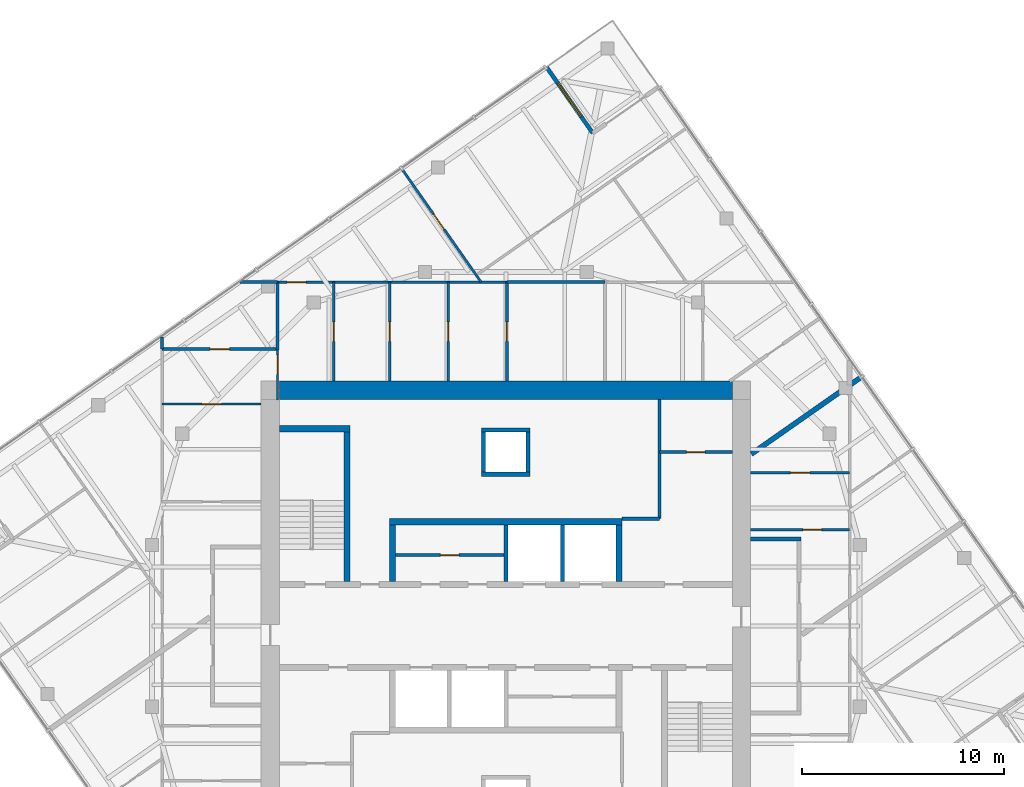
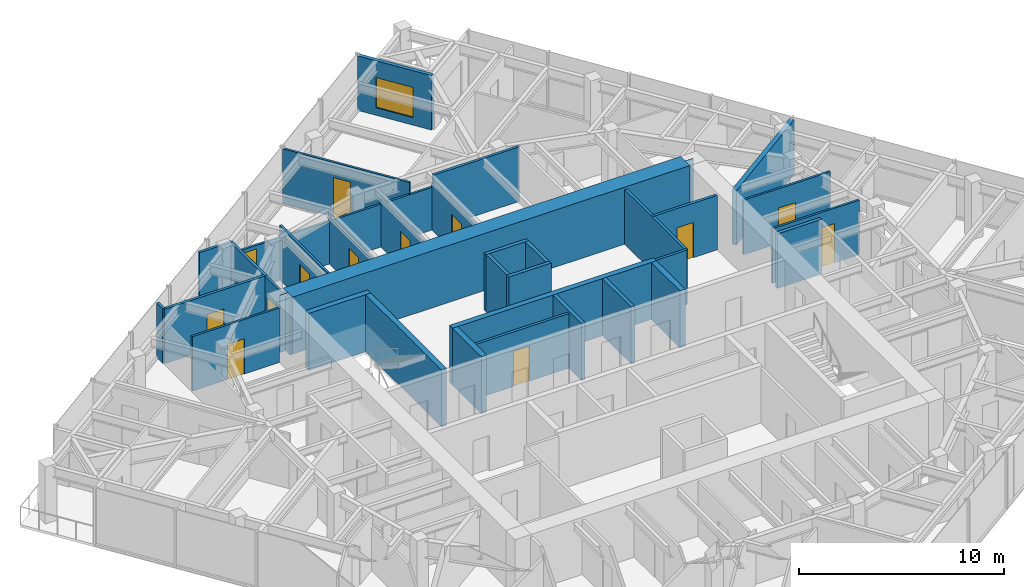
# One storey, part 10 of 12: 34 walls, 13 doors, 1 window, 14 openings.
"""IFC4 building model written with IfcOpenShell, lengths in metres."""

import ifcopenshell
import ifcopenshell.guid

model = None  # the IFC model being written
_history = None  # IfcOwnerHistory: only IFC2X3 demands one
_inside = {}  # id of a spatial element -> (the spatial element, [elements in it])
_under = {}  # id of a project, library or spatial element -> (it, [spatial elements below it])
_declared = {}  # id of a project -> (the project, [libraries it declares])
_typed = {}  # id of a type object -> (the type object, [elements of that type])
_made_of = {}  # id of a material, layer set ... -> (it, [elements and type objects made of it])


def new_model(schema):
    """Start an empty IFC model of exactly this schema.

    Asked for "IFC4X3", IfcOpenShell would pick the latest addendum, in which some entities
    have other attributes; the version numbers below select the first issue.
    IFC2X3 requires an IfcOwnerHistory on every rooted entity: one is made here for all.
    """
    global model, _history
    if schema == "IFC4X3":
        model = ifcopenshell.file(schema_version=(4, 3, 0, 0))
    else:
        model = ifcopenshell.file(schema=schema)
    _inside.clear()
    _under.clear()
    _declared.clear()
    _typed.clear()
    _made_of.clear()
    _history = None
    if model.schema == "IFC2X3":
        org = make("IfcOrganization", Name="unknown")
        user = make(
            "IfcPersonAndOrganization",
            ThePerson=make("IfcPerson", FamilyName="unknown"),
            TheOrganization=org,
        )
        app = make(
            "IfcApplication",
            ApplicationDeveloper=org,
            Version="unknown",
            ApplicationFullName="unknown",
            ApplicationIdentifier="unknown",
        )
        _history = make(
            "IfcOwnerHistory",
            OwningUser=user,
            OwningApplication=app,
            ChangeAction="ADDED",
            CreationDate=0,
        )
    return model


def make(cls, **values):
    """One entity of the class cls with the attributes given. An attribute that is None is left unset."""
    return model.create_entity(
        cls, **{name: value for name, value in values.items() if value is not None}
    )


def rooted(cls, **values):
    """An entity with a GlobalId (a new one), such as an element, a storey or a relation."""
    return make(cls, GlobalId=ifcopenshell.guid.new(), OwnerHistory=_history, **values)


def si_unit(unit_type, name, prefix=None):
    """IfcSIUnit, for example si_unit("LENGTHUNIT", "METRE", prefix="MILLI")."""
    return make("IfcSIUnit", UnitType=unit_type, Prefix=prefix, Name=name)


def assignment(units):
    """IfcUnitAssignment: the units of a project."""
    return None if units is None else make("IfcUnitAssignment", Units=units)


def point(xyz):
    """IfcCartesianPoint."""
    return None if xyz is None else make("IfcCartesianPoint", Coordinates=xyz)


def direction(xyz):
    """IfcDirection."""
    return None if xyz is None else make("IfcDirection", DirectionRatios=xyz)


def frame(location, z_axis=None, x_axis=None):
    """IfcAxis2Placement3D, a coordinate frame: its origin and axes. An axis left out is left unset."""
    return make(
        "IfcAxis2Placement3D",
        Location=point(location),
        Axis=direction(z_axis),
        RefDirection=direction(x_axis),
    )


def frame_2d(location, x_axis=None):
    """IfcAxis2Placement2D, a coordinate frame in the plane: its origin and x axis."""
    return make(
        "IfcAxis2Placement2D", Location=point(location), RefDirection=direction(x_axis)
    )


def origin():
    """The frame at (0, 0, 0) with its axes left unset."""
    return frame((0.0, 0.0, 0.0))


def place(relative_to, where):
    """IfcLocalPlacement: puts the frame where relative to a parent placement (None: the world)."""
    return make(
        "IfcLocalPlacement", PlacementRelTo=relative_to, RelativePlacement=where
    )


def context(
    kind, dimensions, precision=None, world=None, true_north=None, identifier=None
):
    """IfcGeometricRepresentationContext, for example the 3D "Model" context."""
    return make(
        "IfcGeometricRepresentationContext",
        ContextIdentifier=identifier,
        ContextType=kind,
        CoordinateSpaceDimension=dimensions,
        Precision=precision,
        WorldCoordinateSystem=world,
        TrueNorth=true_north,
    )


def subcontext(parent, identifier, kind, view, scale=None):
    """IfcGeometricRepresentationSubContext, for example "Body" below "Model"."""
    return make(
        "IfcGeometricRepresentationSubContext",
        ContextIdentifier=identifier,
        ContextType=kind,
        ParentContext=parent,
        TargetScale=scale,
        TargetView=view,
    )


def project(units=None, contexts=None):
    """IfcProject with its units and contexts."""
    return rooted(
        "IfcProject",
        Name="project",
        RepresentationContexts=contexts,
        UnitsInContext=assignment(units),
    )


def spatial(cls, under=None, at=None, **own):
    """A site, building, storey or space (cls), placed at a placement, below another one or the project."""
    s = rooted(cls, ObjectPlacement=at, **own)
    if under is not None:
        _under.setdefault(under.id(), (under, []))[1].append(s)
    return s


def polyline(points):
    """IfcPolyline through the points."""
    return make("IfcPolyline", Points=[point(p) for p in points])


def profile(cls, at=None, kind="AREA", **sizes):
    """A parametric profile (cls). Its sizes go by their IFC names, for example OverallWidth=200.0."""
    return make(cls, ProfileType=kind, Position=at, **sizes)


def rectangle(**sizes):
    """IfcRectangleProfileDef."""
    return profile("IfcRectangleProfileDef", **sizes)


def outline(outer, holes=None, kind="AREA"):
    """IfcArbitraryClosedProfileDef: a profile drawn as a closed curve; with holes, ...WithVoids."""
    if holes is None:
        return make("IfcArbitraryClosedProfileDef", ProfileType=kind, OuterCurve=outer)
    return make(
        "IfcArbitraryProfileDefWithVoids",
        ProfileType=kind,
        OuterCurve=outer,
        InnerCurves=holes,
    )


def extrude(swept, where, along, depth):
    """IfcExtrudedAreaSolid: the profile swept, set in the frame where, extruded along a direction by depth."""
    return make(
        "IfcExtrudedAreaSolid",
        SweptArea=swept,
        Position=where,
        ExtrudedDirection=direction(along),
        Depth=depth,
    )


def shape(context_of_items, identifier, shape_type, items):
    """IfcShapeRepresentation: the items that make up one representation, for example the "Body"."""
    return make(
        "IfcShapeRepresentation",
        ContextOfItems=context_of_items,
        RepresentationIdentifier=identifier,
        RepresentationType=shape_type,
        Items=items,
    )


def material(Name=None, Category=None):
    """IfcMaterial."""
    return make("IfcMaterial", Name=Name, Category=Category)


def layer(
    of_material, thickness, ventilated=None, Name=None, Category=None, Priority=None
):
    """IfcMaterialLayer: one layer of a wall or slab, of a material (None: an air gap)."""
    return make(
        "IfcMaterialLayer",
        Material=of_material,
        LayerThickness=thickness,
        IsVentilated=ventilated,
        Name=Name,
        Category=Category,
        Priority=Priority,
    )


def layer_set(layers, Name=None):
    """IfcMaterialLayerSet."""
    return make("IfcMaterialLayerSet", MaterialLayers=layers, LayerSetName=Name)


def made_of(thing, what):
    """Note that an element or type object is made of a material, layer set ...; save() writes the relation."""
    if what is not None:
        _made_of.setdefault(what.id(), (what, []))[1].append(thing)
    return thing


def type_object(cls, material=None, **own):
    """A type object (cls), such as IfcWallType, which elements share."""
    return made_of(rooted(cls, **own), material)


def element(
    cls,
    number,
    at=None,
    inside=None,
    cuts=None,
    type_object=None,
    material=None,
    context=None,
    identifier="Body",
    shape_type=None,
    held_by="IfcProductDefinitionShape",
    body=None,
    shapes=None,
    **own,
):
    """One element of the class cls, such as IfcWall. Its Tag is "e" and its number.

    at: its placement. inside: the storey or other place that contains it. cuts: it is an
    opening in that element (IfcRelVoidsElement). A single representation is given by context,
    identifier, shape_type and body (its items); several are given by shapes. held_by: the class
    of the entity that holds the representations. save() writes the other relations.
    """
    e = rooted(cls, Tag="e%d" % number, ObjectPlacement=at, **own)
    if body is not None:
        shapes = [shape(context, identifier, shape_type, body)]
    if shapes is not None:
        e.Representation = make(held_by, Representations=shapes)
    if inside is not None:
        _inside.setdefault(inside.id(), (inside, []))[1].append(e)
    if cuts is not None:
        rooted(
            "IfcRelVoidsElement", RelatingBuildingElement=cuts, RelatedOpeningElement=e
        )
    if type_object is not None:
        _typed.setdefault(type_object.id(), (type_object, []))[1].append(e)
    return made_of(e, material)


def fill(opening, filler):
    """IfcRelFillsElement: the door or window that sits in an opening."""
    return rooted(
        "IfcRelFillsElement",
        RelatingOpeningElement=opening,
        RelatedBuildingElement=filler,
    )


def aggregate(whole, parts):
    """IfcRelAggregates: a whole, such as a stair, and the parts it consists of."""
    return rooted("IfcRelAggregates", RelatingObject=whole, RelatedObjects=parts)


def save(model, path):
    """Write the relations noted so far, then the file.

    IfcRelAggregates (storeys below a building ...), IfcRelContainedInSpatialStructure (elements
    in a storey), IfcRelDefinesByType, IfcRelAssociatesMaterial and IfcRelDeclares: one each for
    every whole, place, type object, material and project.
    """
    for whole, parts in _under.values():
        aggregate(whole, parts)
    for where, things in _inside.values():
        rooted(
            "IfcRelContainedInSpatialStructure",
            RelatedElements=things,
            RelatingStructure=where,
        )
    for kind, things in _typed.values():
        rooted("IfcRelDefinesByType", RelatedObjects=things, RelatingType=kind)
    for what, things in _made_of.values():
        rooted("IfcRelAssociatesMaterial", RelatedObjects=things, RelatingMaterial=what)
    for by, libraries in _declared.values():
        rooted("IfcRelDeclares", RelatingContext=by, RelatedDefinitions=libraries)
    model.write(path)


model = new_model("IFC4")

# Units and contexts
model_context = context("Model", 3, precision=1e-05, world=origin(), true_north=direction((0.0, 1.0)))
body_context = subcontext(model_context, "Body", "Model", "MODEL_VIEW")
ifc_project = project(units=[si_unit("LENGTHUNIT", "METRE"), si_unit("AREAUNIT", "SQUARE_METRE"), si_unit("VOLUMEUNIT", "CUBIC_METRE"), si_unit("PLANEANGLEUNIT", "RADIAN"), si_unit("MASSUNIT", "GRAM", prefix="KILO")], contexts=[model_context])

# Site, building, storey
site_placement = place(None, origin())
site = spatial("IfcSite", under=ifc_project, at=site_placement, CompositionType="ELEMENT")
building_placement = place(site_placement, origin())
building = spatial("IfcBuilding", under=site, at=building_placement, Name="Torsade Residences", CompositionType="ELEMENT")
storey_placement = place(building_placement, frame((0.0, 0.0, 247.199951171875)))
storey = spatial("IfcBuildingStorey", under=building, at=storey_placement, Name="L68", CompositionType="ELEMENT", Elevation=247.199951171875)

# Walls
ifc_material_1 = material(Name="Concrete 80 MPa", Category="concrete")
ifc_layer_1 = layer(ifc_material_1, 0.300048828125)
ifc_layer_set_1 = layer_set([ifc_layer_1], Name="Concrete 80 MPa")
wall_type_1 = type_object("IfcWallType", Name="CORE INTERNAL WALL 300", PredefinedType="SHEAR", material=ifc_layer_set_1)
wall_1_placement = place(storey_placement, frame((34.25, 35.14990234375, 0.0), z_axis=(0.0, 0.0, 1.0), x_axis=(1.0, 0.0, 0.0)))
element("IfcWall", 1, at=wall_1_placement, inside=storey, type_object=wall_type_1, Name="Core wall BN L68", PredefinedType="SHEAR", context=body_context, shape_type="SweptSolid", body=[
    extrude(rectangle(XDim=11.5, YDim=0.300048828125, at=frame_2d((5.75, 0.0))), origin(), (0.0, 0.0, 1.0), 3.400146484375),
])
for number, where, z_axis, x_axis, name in (
    (2, (34.39990234375, 32.199951171875, 0.0), (0.0, 0.0, 1.0), (0.0, 1.0, 0.0), "Core wall DN0 L68"),
    (3, (45.60009765625, 32.199951171875, 0.0), (0.0, 0.0, 1.0), (0.0, 1.0, 0.0), "Core wall DN4 L68"),
):
    element("IfcWall", number, at=place(storey_placement, frame(where, z_axis=z_axis, x_axis=x_axis)), inside=storey, type_object=wall_type_1, Name=name, PredefinedType="SHEAR", context=body_context, shape_type="SweptSolid", body=[
        extrude(rectangle(XDim=2.800048828125, YDim=0.300048828125, at=frame_2d((1.39990234375, 0.0))), origin(), (0.0, 0.0, 1.0), 3.400146484375),
    ])
wall_2_placement = place(storey_placement, frame((32.14990234375, 32.199951171875, 0.0), z_axis=(0.0, 0.0, 1.0), x_axis=(0.0, 1.0, 0.0)))
element("IfcWall", 4, at=wall_2_placement, inside=storey, type_object=wall_type_1, Name="Core wall ST1E L68", PredefinedType="SHEAR", context=body_context, shape_type="SweptSolid", body=[
    extrude(rectangle(XDim=7.699951171875, YDim=0.300048828125, at=frame_2d((3.85009765625, 0.0))), origin(), (0.0, 0.0, 1.0), 3.400146484375),
])
wall_3_placement = place(storey_placement, frame((28.800048828125, 39.75, 0.0), z_axis=(0.0, 0.0, 1.0), x_axis=(1.0, 0.0, 0.0)))
element("IfcWall", 5, at=wall_3_placement, inside=storey, type_object=wall_type_1, Name="Core wall ST1N L68", PredefinedType="SHEAR", context=body_context, shape_type="SweptSolid", body=[
    extrude(rectangle(XDim=3.5, YDim=0.300048828125, at=frame_2d((1.75, 0.0))), origin(), (0.0, 0.0, 1.0), 3.400146484375),
])
ifc_material_2 = material(Name="Concrete 80 MPa", Category="concrete")
ifc_layer_2 = layer(ifc_material_2, 0.89990234375)
ifc_layer_set_2 = layer_set([ifc_layer_2], Name="Concrete 80 MPa")
wall_type_2 = type_object("IfcWallType", Name="CORE WALL 900", PredefinedType="SHEAR", material=ifc_layer_set_2)
wall_4_placement = place(storey_placement, frame((28.800048828125, 41.64990234375, 0.0), z_axis=(0.0, 0.0, 1.0), x_axis=(1.0, 0.0, 0.0)))
element("IfcWall", 6, at=wall_4_placement, inside=storey, type_object=wall_type_2, Name="Core wall N L68", PredefinedType="SHEAR", context=body_context, shape_type="SweptSolid", body=[
    extrude(outline(polyline([(0.0, -0.449951171875), (22.39990234375, -0.449951171875), (22.39990234375, -0.02490234375), (22.849853515625, -0.02490234375), (22.849853515625, 0.02490234375), (22.39990234375, 0.02490234375), (22.39990234375, 0.449951171875), (0.0, 0.449951171875), (0.0, 0.02490234375), (-0.449951171875, 0.02490234375), (-0.449951171875, -0.02490234375), (0.0, -0.02490234375), (0.0, -0.449951171875)])), origin(), (0.0, 0.0, 1.0), 3.400146484375),
])
ifc_material_3 = material(Name="Plasterboard on steel stud", Category="steel")
ifc_layer_3 = layer(ifc_material_3, 0.199951171875)
ifc_layer_set_3 = layer_set([ifc_layer_3], Name="Plasterboard on steel stud")
wall_type_3 = type_object("IfcWallType", Name="CORRIDOR WALL 200", PredefinedType="PARTITIONING", material=ifc_layer_set_3)
wall_5_placement = place(storey_placement, frame((52.10009765625, 34.300048828125, 0.0), z_axis=(0.0, 0.0, 1.0), x_axis=(1.0, 0.0, 0.0)))
element("IfcWall", 7, at=wall_5_placement, inside=storey, type_object=wall_type_3, Name="Corridor wall L68", PredefinedType="PARTITIONING", context=body_context, shape_type="SweptSolid", body=[
    extrude(rectangle(XDim=2.5, YDim=0.199951171875, at=frame_2d((1.25, 0.0))), origin(), (0.0, 0.0, 1.0), 3.25),
])
ifc_material_4 = material(Name="Reinforced blockwork", Category="masonry")
ifc_layer_4 = layer(ifc_material_4, 0.199951171875)
ifc_layer_set_4 = layer_set([ifc_layer_4], Name="Reinforced blockwork")
wall_type_4 = type_object("IfcWallType", Name="LIFT SHAFT DIVIDING WALL 200", PredefinedType="SOLIDWALL", material=ifc_layer_set_4)
for number, where, z_axis, x_axis, name in (
    (8, (40.0, 32.199951171875, 0.0), (0.0, 0.0, 1.0), (0.0, 1.0, 0.0), "Core wall DN2 L68"),
    (9, (42.800048828125, 32.199951171875, 0.0), (0.0, 0.0, 1.0), (0.0, 1.0, 0.0), "Core wall DN3 L68"),
):
    element("IfcWall", number, at=place(storey_placement, frame(where, z_axis=z_axis, x_axis=x_axis)), inside=storey, type_object=wall_type_4, Name=name, PredefinedType="SOLIDWALL", context=body_context, shape_type="SweptSolid", body=[
        extrude(rectangle(XDim=2.800048828125, YDim=0.199951171875, at=frame_2d((1.39990234375, 0.0))), origin(), (0.0, 0.0, 1.0), 3.400146484375),
    ])

# Wall, opening, door
ifc_material_5 = material(Name="Plasterboard on steel stud", Category="steel")
ifc_layer_5 = layer(ifc_material_5, 0.1201171875)
ifc_layer_set_5 = layer_set([ifc_layer_5], Name="Plasterboard on steel stud")
wall_type_5 = type_object("IfcWallType", Name="PARTITION 120", PredefinedType="PARTITIONING", material=ifc_layer_set_5)
wall_6_placement = place(storey_placement, frame((52.10009765625, 34.76611328125, 0.0), z_axis=(0.0, 0.0, 1.0), x_axis=(1.0, 0.0, 0.0)))
wall_6 = element("IfcWall", 10, at=wall_6_placement, inside=storey, type_object=wall_type_5, Name="Partition L68", PredefinedType="PARTITIONING", context=body_context, shape_type="SweptSolid", body=[
    extrude(rectangle(XDim=4.89990234375, YDim=0.1201171875, at=frame_2d((2.449951171875, 0.0))), origin(), (0.0, 0.0, 1.0), 3.25),
])
opening_1_placement = place(wall_6_placement, frame((2.590087890625, 0.0, 0.0)))
opening_1 = element("IfcOpeningElement", 11, at=opening_1_placement, cuts=wall_6, Name="Opening D02", PredefinedType="OPENING", context=body_context, shape_type="SweptSolid", body=[
    extrude(rectangle(XDim=0.919921875, YDim=2.340087890625, at=frame_2d((0.4599609375, 1.169921875))), frame((0.0, 0.070068359375, 0.0), z_axis=(0.0, -1.0, 0.0), x_axis=(1.0, 0.0, 0.0)), (0.0, 0.0, 1.0), 0.14013671875),
])
ifc_material_6 = material(Name="Hollow-core timber door", Category="wood")
door_type_1 = type_object("IfcDoorType", Name="INTERNAL DOOR 920x2340", OperationType="NOTDEFINED", PredefinedType="DOOR", material=ifc_material_6)
door_1_placement = place(opening_1_placement, origin())
door_1 = element("IfcDoor", 12, at=door_1_placement, inside=storey, type_object=door_type_1, Name="Door Kitchen and dining to Dressing room", OperationType="SINGLE_SWING_RIGHT", OverallHeight=2.340087890625, OverallWidth=0.919921875, PredefinedType="DOOR", context=body_context, shape_type="SweptSolid", body=[
    extrude(rectangle(XDim=0.919921875, YDim=2.340087890625, at=frame_2d((0.4599609375, 1.169921875))), frame((0.0, 0.02490234375, 0.0), z_axis=(0.0, -1.0, 0.0), x_axis=(1.0, 0.0, 0.0)), (0.0, 0.0, 1.0), 0.050048828125),
])
fill(opening_1, door_1)

wall_7_placement = place(storey_placement, frame((57.0, 37.567626953125, 0.0), z_axis=(0.0, 0.0, 1.0), x_axis=(-1.0, 0.0, 0.0)))
wall_7 = element("IfcWall", 13, at=wall_7_placement, inside=storey, type_object=wall_type_5, Name="Partition L68", PredefinedType="PARTITIONING", context=body_context, shape_type="SweptSolid", body=[
    extrude(rectangle(XDim=4.89990234375, YDim=0.1201171875, at=frame_2d((2.449951171875, 0.0))), origin(), (0.0, 0.0, 1.0), 3.25),
])
opening_2_placement = place(wall_7_placement, frame((1.969970703125, 0.0, 0.0)))
opening_2 = element("IfcOpeningElement", 14, at=opening_2_placement, cuts=wall_7, Name="Opening D05", PredefinedType="OPENING", context=body_context, shape_type="SweptSolid", body=[
    extrude(rectangle(XDim=0.9599609375, YDim=2.10009765625, at=frame_2d((0.47998046875, 1.050048828125))), frame((0.0, 0.070068359375, 0.0), z_axis=(0.0, -1.0, 0.0), x_axis=(1.0, 0.0, 0.0)), (0.0, 0.0, 1.0), 0.14013671875),
])
ifc_material_7 = material(Name="Hollow-core timber door in a steel cavity frame", Category="steel")
door_type_2 = type_object("IfcDoorType", Name="BATHROOM CAVITY SLIDING DOOR 960", OperationType="SLIDING_TO_LEFT", PredefinedType="DOOR", material=ifc_material_7)
door_2_placement = place(opening_2_placement, origin())
door_2 = element("IfcDoor", 15, at=door_2_placement, inside=storey, type_object=door_type_2, Name="Door Dressing room to Bathroom", OperationType="SLIDING_TO_LEFT", OverallHeight=2.10009765625, OverallWidth=0.9599609375, PredefinedType="DOOR", context=body_context, shape_type="SweptSolid", body=[
    extrude(rectangle(XDim=0.9599609375, YDim=2.10009765625, at=frame_2d((0.47998046875, 1.050048828125))), frame((0.0, 0.02490234375, 0.0), z_axis=(0.0, -1.0, 0.0), x_axis=(1.0, 0.0, 0.0)), (0.0, 0.0, 1.0), 0.050048828125),
])
fill(opening_2, door_2)

wall_8_placement = place(storey_placement, frame((23.0, 40.97412109375, 0.0), z_axis=(0.0, 0.0, 1.0), x_axis=(1.0, 0.0, 0.0)))
wall_8 = element("IfcWall", 16, at=wall_8_placement, inside=storey, type_object=wall_type_5, Name="Partition L68", PredefinedType="PARTITIONING", context=body_context, shape_type="SweptSolid", body=[
    extrude(rectangle(XDim=4.89990234375, YDim=0.1201171875, at=frame_2d((2.449951171875, 0.0))), origin(), (0.0, 0.0, 1.0), 3.25),
])
opening_3_placement = place(wall_8_placement, frame((1.969970703125, 0.0, 0.0)))
opening_3 = element("IfcOpeningElement", 17, at=opening_3_placement, cuts=wall_8, Name="Opening D05", PredefinedType="OPENING", context=body_context, shape_type="SweptSolid", body=[
    extrude(rectangle(XDim=0.9599609375, YDim=2.10009765625, at=frame_2d((0.47998046875, 1.050048828125))), frame((0.0, 0.070068359375, 0.0), z_axis=(0.0, -1.0, 0.0), x_axis=(1.0, 0.0, 0.0)), (0.0, 0.0, 1.0), 0.14013671875),
])
door_3_placement = place(opening_3_placement, origin())
door_3 = element("IfcDoor", 18, at=door_3_placement, inside=storey, type_object=door_type_2, Name="Door Scullery to WC", OperationType="SLIDING_TO_LEFT", OverallHeight=2.10009765625, OverallWidth=0.9599609375, PredefinedType="DOOR", context=body_context, shape_type="SweptSolid", body=[
    extrude(rectangle(XDim=0.9599609375, YDim=2.10009765625, at=frame_2d((0.47998046875, 1.050048828125))), frame((0.0, 0.02490234375, 0.0), z_axis=(0.0, -1.0, 0.0), x_axis=(1.0, 0.0, 0.0)), (0.0, 0.0, 1.0), 0.050048828125),
])
fill(opening_3, door_3)

wall_9_placement = place(storey_placement, frame((31.482177734375, 42.10009765625, 0.0), z_axis=(0.0, 0.0, 1.0), x_axis=(0.0, 1.0, 0.0)))
wall_9 = element("IfcWall", 19, at=wall_9_placement, inside=storey, type_object=wall_type_5, Name="Partition L68", PredefinedType="PARTITIONING", context=body_context, shape_type="SweptSolid", body=[
    extrude(rectangle(XDim=4.89990234375, YDim=0.1201171875, at=frame_2d((2.449951171875, 0.0))), origin(), (0.0, 0.0, 1.0), 3.25),
])
opening_4_placement = place(wall_9_placement, frame((1.969970703125, 0.0, 0.0)))
opening_4 = element("IfcOpeningElement", 20, at=opening_4_placement, cuts=wall_9, Name="Opening D05", PredefinedType="OPENING", context=body_context, shape_type="SweptSolid", body=[
    extrude(rectangle(XDim=0.9599609375, YDim=2.10009765625, at=frame_2d((0.47998046875, 1.050048828125))), frame((0.0, 0.070068359375, 0.0), z_axis=(0.0, -1.0, 0.0), x_axis=(1.0, 0.0, 0.0)), (0.0, 0.0, 1.0), 0.14013671875),
])
door_4_placement = place(opening_4_placement, origin())
door_4 = element("IfcDoor", 21, at=door_4_placement, inside=storey, type_object=door_type_2, Name="Door Dressing room to Bathroom", OperationType="SLIDING_TO_LEFT", OverallHeight=2.10009765625, OverallWidth=0.9599609375, PredefinedType="DOOR", context=body_context, shape_type="SweptSolid", body=[
    extrude(rectangle(XDim=0.9599609375, YDim=2.10009765625, at=frame_2d((0.47998046875, 1.050048828125))), frame((0.0, 0.02490234375, 0.0), z_axis=(0.0, -1.0, 0.0), x_axis=(1.0, 0.0, 0.0)), (0.0, 0.0, 1.0), 0.050048828125),
])
fill(opening_4, door_4)

wall_10_placement = place(storey_placement, frame((34.256103515625, 47.0, 0.0), z_axis=(0.0, 0.0, 1.0), x_axis=(0.0, -1.0, 0.0)))
wall_10 = element("IfcWall", 22, at=wall_10_placement, inside=storey, type_object=wall_type_5, Name="Partition L68", PredefinedType="PARTITIONING", context=body_context, shape_type="SweptSolid", body=[
    extrude(rectangle(XDim=4.89990234375, YDim=0.1201171875, at=frame_2d((2.449951171875, 0.0))), origin(), (0.0, 0.0, 1.0), 2.796142578125),
])
opening_5_placement = place(wall_10_placement, frame((1.969970703125, 0.0, 0.0)))
opening_5 = element("IfcOpeningElement", 23, at=opening_5_placement, cuts=wall_10, Name="Opening D05", PredefinedType="OPENING", context=body_context, shape_type="SweptSolid", body=[
    extrude(rectangle(XDim=0.9599609375, YDim=2.10009765625, at=frame_2d((0.47998046875, 1.050048828125))), frame((0.0, 0.070068359375, 0.0), z_axis=(0.0, -1.0, 0.0), x_axis=(1.0, 0.0, 0.0)), (0.0, 0.0, 1.0), 0.14013671875),
])
door_5_placement = place(opening_5_placement, origin())
door_5 = element("IfcDoor", 24, at=door_5_placement, inside=storey, type_object=door_type_2, Name="Door Bathroom to Dressing room 2", OperationType="SLIDING_TO_LEFT", OverallHeight=2.10009765625, OverallWidth=0.9599609375, PredefinedType="DOOR", context=body_context, shape_type="SweptSolid", body=[
    extrude(rectangle(XDim=0.9599609375, YDim=2.10009765625, at=frame_2d((0.47998046875, 1.050048828125))), frame((0.0, 0.02490234375, 0.0), z_axis=(0.0, -1.0, 0.0), x_axis=(1.0, 0.0, 0.0)), (0.0, 0.0, 1.0), 0.050048828125),
])
fill(opening_5, door_5)

wall_11_placement = place(storey_placement, frame((28.708251953125, 47.0, 0.0), z_axis=(0.0, 0.0, 1.0), x_axis=(1.0, 0.0, 0.0)))
wall_11 = element("IfcWall", 25, at=wall_11_placement, inside=storey, type_object=wall_type_5, Name="Partition L68", PredefinedType="PARTITIONING", context=body_context, shape_type="SweptSolid", body=[
    extrude(rectangle(XDim=11.345947265625, YDim=0.1201171875, at=frame_2d((5.6728515625, 0.0))), origin(), (0.0, 0.0, 1.0), 2.550048828125),
])
opening_6_placement = place(wall_11_placement, frame((0.47705078125, 0.0, 0.0)))
opening_6 = element("IfcOpeningElement", 26, at=opening_6_placement, cuts=wall_11, Name="Opening D02", PredefinedType="OPENING", context=body_context, shape_type="SweptSolid", body=[
    extrude(rectangle(XDim=0.919921875, YDim=2.340087890625, at=frame_2d((0.4599609375, 1.169921875))), frame((0.0, 0.070068359375, 0.0), z_axis=(0.0, -1.0, 0.0), x_axis=(1.0, 0.0, 0.0)), (0.0, 0.0, 1.0), 0.14013671875),
])
door_6_placement = place(opening_6_placement, origin())
door_6 = element("IfcDoor", 27, at=door_6_placement, inside=storey, type_object=door_type_1, Name="Door Dressing room to Study 2", OperationType="SINGLE_SWING_LEFT", OverallHeight=2.340087890625, OverallWidth=0.919921875, PredefinedType="DOOR", context=body_context, shape_type="SweptSolid", body=[
    extrude(rectangle(XDim=0.919921875, YDim=2.340087890625, at=frame_2d((0.4599609375, 1.169921875))), frame((0.0, 0.02490234375, 0.0), z_axis=(0.0, -1.0, 0.0), x_axis=(1.0, 0.0, 0.0)), (0.0, 0.0, 1.0), 0.050048828125),
])
fill(opening_6, door_6)

wall_12_placement = place(storey_placement, frame((28.708251953125, 41.179931640625, 0.0), z_axis=(0.0, 0.0, 1.0), x_axis=(0.0, 1.0, 0.0)))
wall_12 = element("IfcWall", 28, at=wall_12_placement, inside=storey, type_object=wall_type_5, Name="Partition L68", PredefinedType="PARTITIONING", context=body_context, shape_type="SweptSolid", body=[
    extrude(rectangle(XDim=2.45849609375, YDim=0.1201171875, at=frame_2d((1.229248046875, 0.0))), origin(), (0.0, 0.0, 1.0), 3.25),
])
opening_7_placement = place(wall_12_placement, frame((1.25927734375, 0.0, 0.0)))
opening_7 = element("IfcOpeningElement", 29, at=opening_7_placement, cuts=wall_12, Name="Opening D05", PredefinedType="OPENING", context=body_context, shape_type="SweptSolid", body=[
    extrude(rectangle(XDim=0.9599609375, YDim=2.10009765625, at=frame_2d((0.47998046875, 1.050048828125))), frame((0.0, 0.070068359375, 0.0), z_axis=(0.0, -1.0, 0.0), x_axis=(1.0, 0.0, 0.0)), (0.0, 0.0, 1.0), 0.14013671875),
])
door_7_placement = place(opening_7_placement, origin())
door_7 = element("IfcDoor", 30, at=door_7_placement, inside=storey, type_object=door_type_2, Name="Door WC to Dressing room", OperationType="SLIDING_TO_LEFT", OverallHeight=2.10009765625, OverallWidth=0.9599609375, PredefinedType="DOOR", context=body_context, shape_type="SweptSolid", body=[
    extrude(rectangle(XDim=0.9599609375, YDim=2.10009765625, at=frame_2d((0.47998046875, 1.050048828125))), frame((0.0, 0.02490234375, 0.0), z_axis=(0.0, -1.0, 0.0), x_axis=(1.0, 0.0, 0.0)), (0.0, 0.0, 1.0), 0.050048828125),
])
fill(opening_7, door_7)

wall_13_placement = place(storey_placement, frame((37.155029296875, 42.10009765625, 0.0), z_axis=(0.0, 0.0, 1.0), x_axis=(0.0, 1.0, 0.0)))
wall_13 = element("IfcWall", 31, at=wall_13_placement, inside=storey, type_object=wall_type_5, Name="Partition L68", PredefinedType="PARTITIONING", context=body_context, shape_type="SweptSolid", body=[
    extrude(rectangle(XDim=4.89990234375, YDim=0.1201171875, at=frame_2d((2.449951171875, 0.0))), origin(), (0.0, 0.0, 1.0), 2.796142578125),
])
opening_8_placement = place(wall_13_placement, frame((1.969970703125, 0.0, 0.0)))
opening_8 = element("IfcOpeningElement", 32, at=opening_8_placement, cuts=wall_13, Name="Opening D05", PredefinedType="OPENING", context=body_context, shape_type="SweptSolid", body=[
    extrude(rectangle(XDim=0.9599609375, YDim=2.10009765625, at=frame_2d((0.47998046875, 1.050048828125))), frame((0.0, 0.070068359375, 0.0), z_axis=(0.0, -1.0, 0.0), x_axis=(1.0, 0.0, 0.0)), (0.0, 0.0, 1.0), 0.14013671875),
])
door_8_placement = place(opening_8_placement, origin())
door_8 = element("IfcDoor", 33, at=door_8_placement, inside=storey, type_object=door_type_2, Name="Door Dressing room 2 to Ensuite", OperationType="SLIDING_TO_LEFT", OverallHeight=2.10009765625, OverallWidth=0.9599609375, PredefinedType="DOOR", context=body_context, shape_type="SweptSolid", body=[
    extrude(rectangle(XDim=0.9599609375, YDim=2.10009765625, at=frame_2d((0.47998046875, 1.050048828125))), frame((0.0, 0.02490234375, 0.0), z_axis=(0.0, -1.0, 0.0), x_axis=(1.0, 0.0, 0.0)), (0.0, 0.0, 1.0), 0.050048828125),
])
fill(opening_8, door_8)

wall_14_placement = place(storey_placement, frame((38.7783203125, 47.0, 0.0), z_axis=(0.0, 0.0, 1.0), x_axis=(-0.57357503053, 0.819153028653, 0.0)))
wall_14 = element("IfcWall", 34, at=wall_14_placement, inside=storey, type_object=wall_type_5, Name="Partition L68", PredefinedType="PARTITIONING", context=body_context, shape_type="SweptSolid", body=[
    extrude(rectangle(XDim=6.833740234375, YDim=0.1201171875, at=frame_2d((3.4169921875, 0.0))), origin(), (0.0, 0.0, 1.0), 3.25),
])
opening_9_placement = place(wall_14_placement, frame((3.186279296875, 0.0, 0.0)))
opening_9 = element("IfcOpeningElement", 35, at=opening_9_placement, cuts=wall_14, Name="Opening D02", PredefinedType="OPENING", context=body_context, shape_type="SweptSolid", body=[
    extrude(rectangle(XDim=0.919921875, YDim=2.340087890625, at=frame_2d((0.4599609375, 1.169921875))), frame((0.0, 0.070068359375, 0.0), z_axis=(0.0, -1.0, 0.0), x_axis=(1.0, 0.0, 0.0)), (0.0, 0.0, 1.0), 0.14013671875),
])
door_9_placement = place(opening_9_placement, origin())
door_9 = element("IfcDoor", 36, at=door_9_placement, inside=storey, type_object=door_type_1, Name="Door Study 2 to Living room", OperationType="SINGLE_SWING_LEFT", OverallHeight=2.340087890625, OverallWidth=0.919921875, PredefinedType="DOOR", context=body_context, shape_type="SweptSolid", body=[
    extrude(rectangle(XDim=0.919921875, YDim=2.340087890625, at=frame_2d((0.4599609375, 1.169921875))), frame((0.0, 0.02490234375, 0.0), z_axis=(0.0, -1.0, 0.0), x_axis=(1.0, 0.0, 0.0)), (0.0, 0.0, 1.0), 0.050048828125),
])
fill(opening_9, door_9)

# Walls
ifc_material_8 = material(Name="Masonry-lined stud party wall", Category="masonry")
ifc_layer_6 = layer(ifc_material_8, 0.25)
ifc_layer_set_6 = layer_set([ifc_layer_6], Name="Masonry-lined stud party wall")
wall_type_6 = type_object("IfcWallType", Name="PARTY WALL 250", PredefinedType="PARTITIONING", material=ifc_layer_set_6)
wall_15_placement = place(storey_placement, frame((57.61181640625, 42.331787109375, 0.0), z_axis=(0.0, 0.0, 1.0), x_axis=(-0.819161528122, -0.573562891796, 0.0)))
element("IfcWall", 37, at=wall_15_placement, inside=storey, type_object=wall_type_6, Name="Party wall L68", PredefinedType="PARTITIONING", context=body_context, shape_type="SweptSolid", body=[
    extrude(rectangle(XDim=6.68115234375, YDim=0.25, at=frame_2d((3.340576171875, 0.0))), origin(), (0.0, 0.0, 1.0), 3.25),
])
ifc_material_9 = material(Name="Reinforced blockwork", Category="masonry")
ifc_layer_7 = layer(ifc_material_9, 0.199951171875)
ifc_layer_set_7 = layer_set([ifc_layer_7], Name="Reinforced blockwork")
wall_type_7 = type_object("IfcWallType", Name="RISER SHAFT WALL 200", PredefinedType="SOLIDWALL", material=ifc_layer_set_7)
for number, where, z_axis, x_axis, name in (
    (38, (38.89990234375, 37.60009765625, 0.0), (0.0, 0.0, 1.0), (0.0, 1.0, 0.0), "Core wall RS1a L68"),
    (39, (41.10009765625, 37.60009765625, 0.0), (0.0, 0.0, 1.0), (0.0, 1.0, 0.0), "Core wall RS1b L68"),
):
    element("IfcWall", number, at=place(storey_placement, frame(where, z_axis=z_axis, x_axis=x_axis)), inside=storey, type_object=wall_type_7, Name=name, PredefinedType="SOLIDWALL", context=body_context, shape_type="SweptSolid", body=[
        extrude(rectangle(XDim=2.0, YDim=0.199951171875, at=frame_2d((1.0, 0.0))), origin(), (0.0, 0.0, 1.0), 3.400146484375),
    ])
for number, where, z_axis, x_axis, name in (
    (40, (38.800048828125, 37.5, 0.0), (0.0, 0.0, 1.0), (1.0, 0.0, 0.0), "Core wall RS1c L68"),
    (41, (38.800048828125, 39.699951171875, 0.0), (0.0, 0.0, 1.0), (1.0, 0.0, 0.0), "Core wall RS1d L68"),
):
    element("IfcWall", number, at=place(storey_placement, frame(where, z_axis=z_axis, x_axis=x_axis)), inside=storey, type_object=wall_type_7, Name=name, PredefinedType="SOLIDWALL", context=body_context, shape_type="SweptSolid", body=[
        extrude(rectangle(XDim=2.39990234375, YDim=0.199951171875, at=frame_2d((1.199951171875, 0.0))), origin(), (0.0, 0.0, 1.0), 3.400146484375),
    ])
ifc_material_10 = material(Name="Reinforced blockwork", Category="masonry")
ifc_layer_8 = layer(ifc_material_10, 0.14990234375)
ifc_layer_set_8 = layer_set([ifc_layer_8], Name="Reinforced blockwork")
wall_type_8 = type_object("IfcWallType", Name="SERVICE ROOM WALL 150", PredefinedType="SOLIDWALL", material=ifc_layer_set_8)
wall_16_placement = place(storey_placement, frame((47.60009765625, 41.199951171875, 0.0), z_axis=(0.0, 0.0, 1.0), x_axis=(0.0, -1.0, 0.0)))
element("IfcWall", 42, at=wall_16_placement, inside=storey, type_object=wall_type_8, Name="Service room wall L68", PredefinedType="SOLIDWALL", context=body_context, shape_type="SweptSolid", body=[
    extrude(rectangle(XDim=5.89990234375, YDim=0.14990234375, at=frame_2d((2.949951171875, 0.0))), origin(), (0.0, 0.0, 1.0), 3.25),
])
wall_17_placement = place(storey_placement, frame((47.60009765625, 35.300048828125, 0.0), z_axis=(0.0, 0.0, 1.0), x_axis=(-1.0, 0.0, 0.0)))
element("IfcWall", 43, at=wall_17_placement, inside=storey, type_object=wall_type_8, Name="Service room wall L68", PredefinedType="SOLIDWALL", context=body_context, shape_type="SweptSolid", body=[
    extrude(rectangle(XDim=1.85009765625, YDim=0.14990234375, at=frame_2d((0.925048828125, 0.0))), origin(), (0.0, 0.0, 1.0), 3.25),
])

# Wall, opening, door
wall_18_placement = place(storey_placement, frame((47.60009765625, 38.60009765625, 0.0), z_axis=(0.0, 0.0, 1.0), x_axis=(1.0, 0.0, 0.0)))
wall_18 = element("IfcWall", 44, at=wall_18_placement, inside=storey, type_object=wall_type_8, Name="Service room wall L68", PredefinedType="SOLIDWALL", context=body_context, shape_type="SweptSolid", body=[
    extrude(rectangle(XDim=3.599853515625, YDim=0.14990234375, at=frame_2d((1.7998046875, 0.0))), origin(), (0.0, 0.0, 1.0), 3.25),
])
opening_10_placement = place(wall_18_placement, frame((1.340087890625, 0.0, 0.0)))
opening_10 = element("IfcOpeningElement", 45, at=opening_10_placement, cuts=wall_18, Name="Opening D06", PredefinedType="OPENING", context=body_context, shape_type="SweptSolid", body=[
    extrude(rectangle(XDim=0.919921875, YDim=2.10009765625, at=frame_2d((0.4599609375, 1.050048828125))), frame((0.0, 0.0849609375, 0.0), z_axis=(0.0, -1.0, 0.0), x_axis=(1.0, 0.0, 0.0)), (0.0, 0.0, 1.0), 0.169921875),
])
ifc_material_11 = material(Name="Steel-framed fire door", Category="steel")
door_type_3 = type_object("IfcDoorType", Name="FIRE DOOR 920", OperationType="NOTDEFINED", PredefinedType="DOOR", material=ifc_material_11)
door_10_placement = place(opening_10_placement, origin())
door_10 = element("IfcDoor", 46, at=door_10_placement, inside=storey, type_object=door_type_3, Name="Door Refuse room to Linen store", OperationType="SINGLE_SWING_LEFT", OverallHeight=2.10009765625, OverallWidth=0.919921875, PredefinedType="DOOR", context=body_context, shape_type="SweptSolid", body=[
    extrude(rectangle(XDim=0.919921875, YDim=2.10009765625, at=frame_2d((0.4599609375, 1.050048828125))), frame((0.0, 0.02490234375, 0.0), z_axis=(0.0, -1.0, 0.0), x_axis=(1.0, 0.0, 0.0)), (0.0, 0.0, 1.0), 0.050048828125),
])
fill(opening_10, door_10)

# Wall
wall_19_placement = place(storey_placement, frame((28.708251953125, 43.638427734375, 0.0), z_axis=(0.0, 0.0, 1.0), x_axis=(0.0, 1.0, 0.0)))
element("IfcWall", 47, at=wall_19_placement, inside=storey, type_object=wall_type_8, Name="Service room wall L68", PredefinedType="SOLIDWALL", context=body_context, shape_type="SweptSolid", body=[
    extrude(rectangle(XDim=3.361572265625, YDim=0.14990234375, at=frame_2d((1.6806640625, 0.0))), origin(), (0.0, 0.0, 1.0), 3.25),
])

# Wall, opening, door
wall_20_placement = place(storey_placement, frame((23.0, 43.6884765625, 0.0), z_axis=(0.0, 0.0, 1.0), x_axis=(1.0, 0.0, 0.0)))
wall_20 = element("IfcWall", 48, at=wall_20_placement, inside=storey, type_object=wall_type_8, Name="Service room wall L68", PredefinedType="SOLIDWALL", context=body_context, shape_type="SweptSolid", body=[
    extrude(rectangle(XDim=5.708251953125, YDim=0.14990234375, at=frame_2d((2.85400390625, 0.0))), origin(), (0.0, 0.0, 1.0), 3.25),
])
opening_11_placement = place(wall_20_placement, frame((2.3740234375, 0.0, 0.0)))
opening_11 = element("IfcOpeningElement", 49, at=opening_11_placement, cuts=wall_20, Name="Opening D05", PredefinedType="OPENING", context=body_context, shape_type="SweptSolid", body=[
    extrude(rectangle(XDim=0.9599609375, YDim=2.10009765625, at=frame_2d((0.47998046875, 1.050048828125))), frame((0.0, 0.0849609375, 0.0), z_axis=(0.0, -1.0, 0.0), x_axis=(1.0, 0.0, 0.0)), (0.0, 0.0, 1.0), 0.169921875),
])
door_11_placement = place(opening_11_placement, origin())
door_11 = element("IfcDoor", 50, at=door_11_placement, inside=storey, type_object=door_type_2, Name="Door WC to Linen store", OperationType="SLIDING_TO_LEFT", OverallHeight=2.10009765625, OverallWidth=0.9599609375, PredefinedType="DOOR", context=body_context, shape_type="SweptSolid", body=[
    extrude(rectangle(XDim=0.9599609375, YDim=2.10009765625, at=frame_2d((0.47998046875, 1.050048828125))), frame((0.0, 0.02490234375, 0.0), z_axis=(0.0, -1.0, 0.0), x_axis=(1.0, 0.0, 0.0)), (0.0, 0.0, 1.0), 0.050048828125),
])
fill(opening_11, door_11)

# Walls
wall_21_placement = place(storey_placement, frame((23.0, 43.6884765625, 0.0), z_axis=(0.0, 0.0, 1.0), x_axis=(0.0, 1.0, 0.0)))
element("IfcWall", 51, at=wall_21_placement, inside=storey, type_object=wall_type_8, Name="Service room wall L68", PredefinedType="SOLIDWALL", context=body_context, shape_type="SweptSolid", body=[
    extrude(rectangle(XDim=0.605712890625, YDim=0.14990234375, at=frame_2d((0.302734375, 0.0))), origin(), (0.0, 0.0, 1.0), 3.25),
])
wall_22_placement = place(storey_placement, frame((26.8642578125, 47.0, 0.0), z_axis=(0.0, 0.0, 1.0), x_axis=(1.0, 0.0, 0.0)))
element("IfcWall", 52, at=wall_22_placement, inside=storey, type_object=wall_type_8, Name="Service room wall L68", PredefinedType="SOLIDWALL", context=body_context, shape_type="SweptSolid", body=[
    extrude(rectangle(XDim=1.843994140625, YDim=0.14990234375, at=frame_2d((0.921875, 0.0))), origin(), (0.0, 0.0, 1.0), 3.25),
])

# Wall, opening, door
wall_23_placement = place(storey_placement, frame((40.05419921875, 47.0, 0.0), z_axis=(0.0, 0.0, 1.0), x_axis=(0.0, -1.0, 0.0)))
wall_23 = element("IfcWall", 53, at=wall_23_placement, inside=storey, type_object=wall_type_8, Name="Service room wall L68", PredefinedType="SOLIDWALL", context=body_context, shape_type="SweptSolid", body=[
    extrude(rectangle(XDim=4.89990234375, YDim=0.14990234375, at=frame_2d((2.449951171875, 0.0))), origin(), (0.0, 0.0, 1.0), 2.796142578125),
])
opening_12_placement = place(wall_23_placement, frame((1.969970703125, 0.0, 0.0)))
opening_12 = element("IfcOpeningElement", 54, at=opening_12_placement, cuts=wall_23, Name="Opening D05", PredefinedType="OPENING", context=body_context, shape_type="SweptSolid", body=[
    extrude(rectangle(XDim=0.9599609375, YDim=2.10009765625, at=frame_2d((0.47998046875, 1.050048828125))), frame((0.0, 0.0849609375, 0.0), z_axis=(0.0, -1.0, 0.0), x_axis=(1.0, 0.0, 0.0)), (0.0, 0.0, 1.0), 0.169921875),
])
door_12_placement = place(opening_12_placement, origin())
door_12 = element("IfcDoor", 55, at=door_12_placement, inside=storey, type_object=door_type_2, Name="Door Ensuite to Linen store 2", OperationType="SLIDING_TO_LEFT", OverallHeight=2.10009765625, OverallWidth=0.9599609375, PredefinedType="DOOR", context=body_context, shape_type="SweptSolid", body=[
    extrude(rectangle(XDim=0.9599609375, YDim=2.10009765625, at=frame_2d((0.47998046875, 1.050048828125))), frame((0.0, 0.02490234375, 0.0), z_axis=(0.0, -1.0, 0.0), x_axis=(1.0, 0.0, 0.0)), (0.0, 0.0, 1.0), 0.050048828125),
])
fill(opening_12, door_12)

# Wall
wall_24_placement = place(storey_placement, frame((40.05419921875, 47.0, 0.0), z_axis=(0.0, 0.0, 1.0), x_axis=(1.0, 0.0, 0.0)))
element("IfcWall", 56, at=wall_24_placement, inside=storey, type_object=wall_type_8, Name="Service room wall L68", PredefinedType="SOLIDWALL", context=body_context, shape_type="SweptSolid", body=[
    extrude(rectangle(XDim=4.843994140625, YDim=0.14990234375, at=frame_2d((2.421875, 0.0))), origin(), (0.0, 0.0, 1.0), 3.25),
])

# Wall, opening, door
wall_25_placement = place(storey_placement, frame((34.550048828125, 33.5, 0.0), z_axis=(0.0, 0.0, 1.0), x_axis=(1.0, 0.0, 0.0)))
wall_25 = element("IfcWall", 57, at=wall_25_placement, inside=storey, type_object=wall_type_8, Name="Service room wall L68", PredefinedType="SOLIDWALL", context=body_context, shape_type="SweptSolid", body=[
    extrude(rectangle(XDim=5.349853515625, YDim=0.14990234375, at=frame_2d((2.6748046875, 0.0))), origin(), (0.0, 0.0, 1.0), 3.25),
])
opening_13_placement = place(wall_25_placement, frame((2.215087890625, 0.0, 0.0)))
opening_13 = element("IfcOpeningElement", 58, at=opening_13_placement, cuts=wall_25, Name="Opening D06", PredefinedType="OPENING", context=body_context, shape_type="SweptSolid", body=[
    extrude(rectangle(XDim=0.919921875, YDim=2.10009765625, at=frame_2d((0.4599609375, 1.050048828125))), frame((0.0, 0.0849609375, 0.0), z_axis=(0.0, -1.0, 0.0), x_axis=(1.0, 0.0, 0.0)), (0.0, 0.0, 1.0), 0.169921875),
])
door_13_placement = place(opening_13_placement, origin())
door_13 = element("IfcDoor", 59, at=door_13_placement, inside=storey, type_object=door_type_3, Name="Door Residents storage L68A to Records store L68B", OperationType="SINGLE_SWING_RIGHT", OverallHeight=2.10009765625, OverallWidth=0.919921875, PredefinedType="DOOR", context=body_context, shape_type="SweptSolid", body=[
    extrude(rectangle(XDim=0.919921875, YDim=2.10009765625, at=frame_2d((0.4599609375, 1.050048828125))), frame((0.0, 0.02490234375, 0.0), z_axis=(0.0, -1.0, 0.0), x_axis=(1.0, 0.0, 0.0)), (0.0, 0.0, 1.0), 0.050048828125),
])
fill(opening_13, door_13)

# Wall, opening, window
ifc_material_12 = material(Name="Stone-faced precast concrete 40 MPa panel", Category="masonry")
ifc_layer_9 = layer(ifc_material_12, 0.199951171875)
ifc_layer_set_9 = layer_set([ifc_layer_9], Name="Stone-faced precast concrete 40 MPa panel")
wall_type_9 = type_object("IfcWallType", Name="TERRACE WALL 200", PredefinedType="SOLIDWALL", material=ifc_layer_set_9)
wall_26_placement = place(storey_placement, frame((44.297607421875, 54.372802734375, 0.0), z_axis=(0.0, 0.0, 1.0), x_axis=(-0.573597512525, 0.819137286189, 0.0)))
wall_26 = element("IfcWall", 60, at=wall_26_placement, inside=storey, type_object=wall_type_9, Name="Terrace wall L68 6", PredefinedType="SOLIDWALL", context=body_context, shape_type="SweptSolid", body=[
    extrude(rectangle(XDim=4.0, YDim=0.199951171875, at=frame_2d((2.0, 0.0))), origin(), (0.0, 0.0, 1.0), 3.25),
])
opening_14_placement = place(wall_26_placement, frame((1.0, 0.0, 0.449951171875)))
opening_14 = element("IfcOpeningElement", 61, at=opening_14_placement, cuts=wall_26, Name="Opening W1B", PredefinedType="OPENING", context=body_context, shape_type="SweptSolid", body=[
    extrude(rectangle(XDim=2.0, YDim=1.800048828125, at=frame_2d((1.0, 0.89990234375))), frame((0.0, 0.10986328125, 0.0), z_axis=(0.0, -1.0, 0.0), x_axis=(1.0, 0.0, 0.0)), (0.0, 0.0, 1.0), 0.219970703125),
])
ifc_material_13 = material(Name="Aluminium-framed glass window", Category="aluminium")
window_type = type_object("IfcWindowType", Name="TERRACE WINDOW 2000x1800", PartitioningType="SINGLE_PANEL", PredefinedType="WINDOW", material=ifc_material_13)
window_placement = place(opening_14_placement, origin())
window = element("IfcWindow", 62, at=window_placement, inside=storey, type_object=window_type, Name="Terrace window L68 6", OverallHeight=1.800048828125, OverallWidth=2.0, PartitioningType="SINGLE_PANEL", PredefinedType="WINDOW", context=body_context, shape_type="SweptSolid", body=[
    extrude(rectangle(XDim=2.0, YDim=1.800048828125, at=frame_2d((1.0, 0.89990234375))), frame((0.0, 0.030029296875, 0.0), z_axis=(0.0, -1.0, 0.0), x_axis=(1.0, 0.0, 0.0)), (0.0, 0.0, 1.0), 0.06005859375),
])
fill(opening_14, window)

save(model, "model.ifc")
